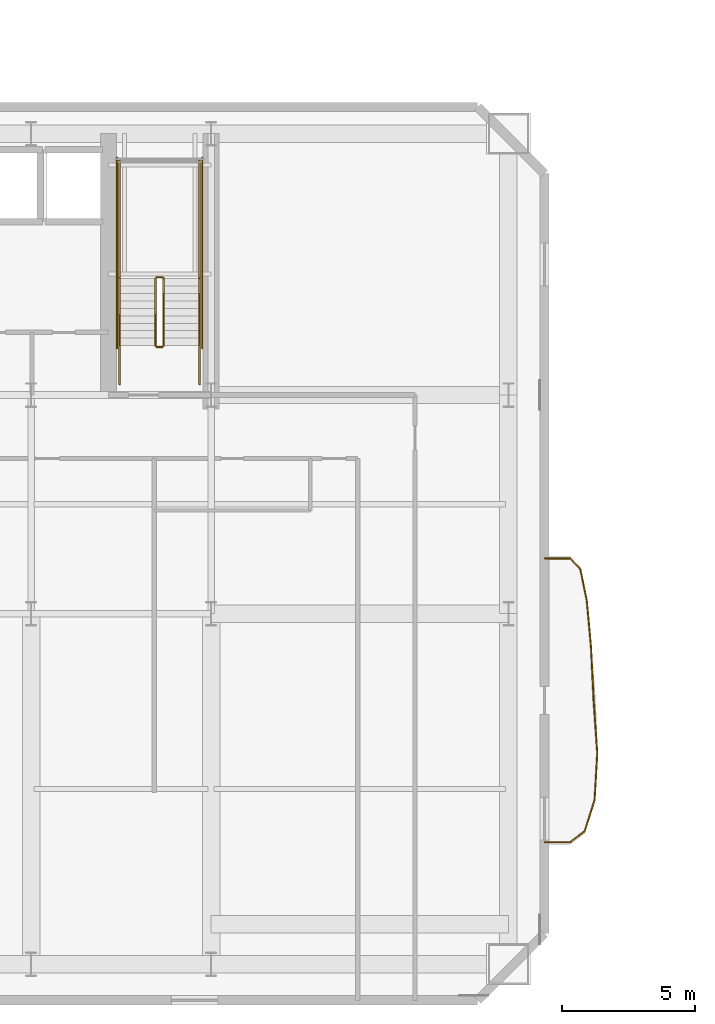
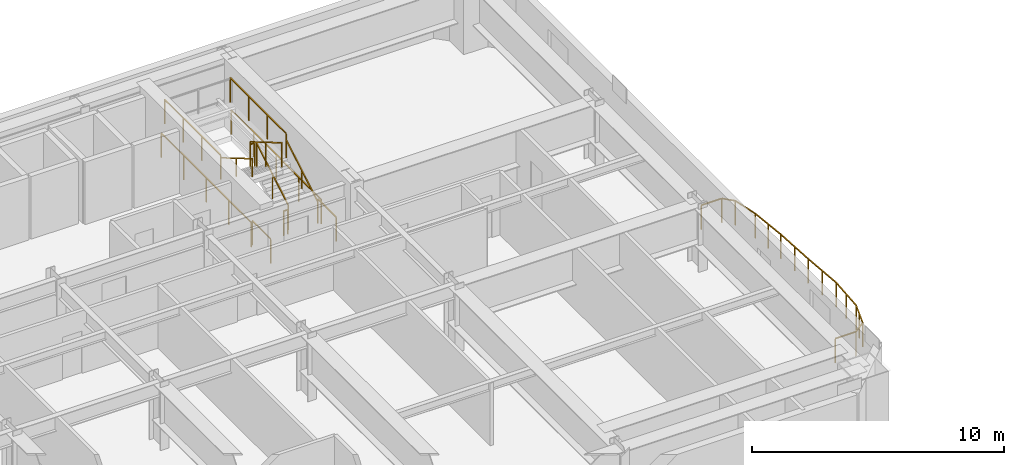
# One storey, part 14 of 18: 22 railings.
"""IFC4 building model written with IfcOpenShell, lengths in metres."""

from ifc_helpers import new_model, si_unit, direction, frame, origin, origin_2d, place, context, subcontext, project, spatial, rectangle, extrude, material, type_object, element, save


model = new_model("IFC4")

# Units and contexts
model_context = context("Model", 3, precision=1e-05, world=origin(), true_north=direction((0.0, 1.0)))
body_context = subcontext(model_context, "Body", "Model", "MODEL_VIEW")
ifc_project = project(units=[si_unit("LENGTHUNIT", "METRE"), si_unit("AREAUNIT", "SQUARE_METRE"), si_unit("VOLUMEUNIT", "CUBIC_METRE"), si_unit("PLANEANGLEUNIT", "RADIAN"), si_unit("MASSUNIT", "GRAM", prefix="KILO")], contexts=[model_context])

# Site, building, storey
site_placement = place(None, origin())
site = spatial("IfcSite", under=ifc_project, at=site_placement, CompositionType="ELEMENT")
building_placement = place(site_placement, origin())
building = spatial("IfcBuilding", under=site, at=building_placement, Name="Haevon Station Towers", CompositionType="ELEMENT")
storey_placement = place(building_placement, frame((0.0, 0.0, 66.89990234375)))
storey = spatial("IfcBuildingStorey", under=building, at=storey_placement, Name="L17", CompositionType="ELEMENT", Elevation=66.89990234375)

# Railings
ifc_material = material(Name="Steel S355", Category="steel")
railing_type_1 = type_object("IfcRailingType", Name="GRD-EXT1200", PredefinedType="GUARDRAIL", material=ifc_material)
railing_1_placement = place(storey_placement, frame((63.523193359375, 21.427978515625, 0.0)))
element("IfcRailing", 1, at=railing_1_placement, inside=storey, type_object=railing_type_1, Name="L17 Perimeter Guardrail 1", PredefinedType="GUARDRAIL", context=body_context, shape_type="SweptSolid", body=[
    extrude(rectangle(XDim=0.048095703125, YDim=0.048095703125, at=origin_2d()), frame((0.0, 0.0, 1.17578125), z_axis=(0.999997858959, 0.002069317866, 0.0), x_axis=(-0.002069317866, 0.999997858959, 0.0)), (0.0, 0.0, 1.0), 0.94384765625),
    extrude(rectangle(XDim=0.0419921875, YDim=0.0419921875, at=origin_2d()), origin(), (0.0, 0.0, 1.0), 1.15185546875),
    extrude(rectangle(XDim=0.0419921875, YDim=0.0419921875, at=origin_2d()), frame((0.94384765625, 0.001953125, 0.0)), (0.0, 0.0, 1.0), 1.15185546875),
])
railing_2_placement = place(storey_placement, frame((64.467041015625, 21.429931640625, 0.0)))
element("IfcRailing", 2, at=railing_2_placement, inside=storey, type_object=railing_type_1, Name="L17 Perimeter Guardrail 2", PredefinedType="GUARDRAIL", context=body_context, shape_type="SweptSolid", body=[
    extrude(rectangle(XDim=0.048095703125, YDim=0.048095703125, at=origin_2d()), frame((0.0, 0.0, 1.17578125), z_axis=(0.798409676693, 0.602114597201, 0.0), x_axis=(-0.602114597201, 0.798409676693, 0.0)), (0.0, 0.0, 1.0), 0.682861328125),
    extrude(rectangle(XDim=0.0419921875, YDim=0.0419921875, at=origin_2d()), origin(), (0.0, 0.0, 1.0), 1.15185546875),
    extrude(rectangle(XDim=0.0419921875, YDim=0.0419921875, at=origin_2d()), frame((0.545166015625, 0.4111328125, 0.0)), (0.0, 0.0, 1.0), 1.15185546875),
])
railing_3_placement = place(storey_placement, frame((65.01220703125, 21.841064453125, 0.0)))
element("IfcRailing", 3, at=railing_3_placement, inside=storey, type_object=railing_type_1, Name="L17 Perimeter Guardrail 3", PredefinedType="GUARDRAIL", context=body_context, shape_type="SweptSolid", body=[
    extrude(rectangle(XDim=0.048095703125, YDim=0.048095703125, at=origin_2d()), frame((0.0, 0.0, 1.17578125), z_axis=(0.303187234273, 0.952931005359, 0.0), x_axis=(-0.952931005359, 0.303187234273, 0.0)), (0.0, 0.0, 1.0), 1.227294921875),
    extrude(rectangle(XDim=0.0419921875, YDim=0.0419921875, at=origin_2d()), origin(), (0.0, 0.0, 1.0), 1.15185546875),
    extrude(rectangle(XDim=0.0419921875, YDim=0.0419921875, at=origin_2d()), frame((0.18603515625, 0.584716796875, 0.0)), (0.0, 0.0, 1.0), 1.15185546875),
    extrude(rectangle(XDim=0.0419921875, YDim=0.0419921875, at=origin_2d()), frame((0.3720703125, 1.16943359375, 0.0)), (0.0, 0.0, 1.0), 1.15185546875),
])
railing_4_placement = place(storey_placement, frame((65.38427734375, 23.010498046875, 0.0)))
element("IfcRailing", 4, at=railing_4_placement, inside=storey, type_object=railing_type_1, Name="L17 Perimeter Guardrail 4", PredefinedType="GUARDRAIL", context=body_context, shape_type="SweptSolid", body=[
    extrude(rectangle(XDim=0.048095703125, YDim=0.048095703125, at=origin_2d()), frame((0.0, 0.0, 1.17578125), z_axis=(0.057716779897, 0.99833299721, 0.0), x_axis=(-0.99833299721, 0.057716779897, 0.0)), (0.0, 0.0, 1.0), 1.751220703125),
    extrude(rectangle(XDim=0.0419921875, YDim=0.0419921875, at=origin_2d()), origin(), (0.0, 0.0, 1.0), 1.15185546875),
    extrude(rectangle(XDim=0.0419921875, YDim=0.0419921875, at=origin_2d()), frame((0.050537109375, 0.8740234375, 0.0)), (0.0, 0.0, 1.0), 1.15185546875),
    extrude(rectangle(XDim=0.0419921875, YDim=0.0419921875, at=origin_2d()), frame((0.10107421875, 1.748291015625, 0.0)), (0.0, 0.0, 1.0), 1.15185546875),
])
railing_5_placement = place(storey_placement, frame((65.4853515625, 24.7587890625, 0.0)))
element("IfcRailing", 5, at=railing_5_placement, inside=storey, type_object=railing_type_1, Name="L17 Perimeter Guardrail 5", PredefinedType="GUARDRAIL", context=body_context, shape_type="SweptSolid", body=[
    extrude(rectangle(XDim=0.048095703125, YDim=0.048095703125, at=origin_2d()), frame((0.0, 0.0, 1.17578125), z_axis=(-0.070082284887, 0.997541213858, 0.0), x_axis=(-0.997541213858, -0.070082284887, 0.0)), (0.0, 0.0, 1.0), 1.99609375),
    extrude(rectangle(XDim=0.0419921875, YDim=0.0419921875, at=origin_2d()), origin(), (0.0, 0.0, 1.0), 1.15185546875),
    extrude(rectangle(XDim=0.0419921875, YDim=0.0419921875, at=origin_2d()), frame((-0.06982421875, 0.99560546875, 0.0)), (0.0, 0.0, 1.0), 1.15185546875),
    extrude(rectangle(XDim=0.0419921875, YDim=0.0419921875, at=origin_2d()), frame((-0.139892578125, 1.9912109375, 0.0)), (0.0, 0.0, 1.0), 1.15185546875),
])
railing_6_placement = place(storey_placement, frame((65.345458984375, 26.75, 0.0)))
element("IfcRailing", 6, at=railing_6_placement, inside=storey, type_object=railing_type_1, Name="L17 Perimeter Guardrail 6", PredefinedType="GUARDRAIL", context=body_context, shape_type="SweptSolid", body=[
    extrude(rectangle(XDim=0.048095703125, YDim=0.048095703125, at=origin_2d()), frame((0.0, 0.0, 1.17578125), z_axis=(-0.047454457012, 0.998873402644, 0.0), x_axis=(-0.998873402644, -0.047454457012, 0.0)), (0.0, 0.0, 1.0), 1.990966796875),
    extrude(rectangle(XDim=0.0419921875, YDim=0.0419921875, at=origin_2d()), origin(), (0.0, 0.0, 1.0), 1.15185546875),
    extrude(rectangle(XDim=0.0419921875, YDim=0.0419921875, at=origin_2d()), frame((-0.04736328125, 0.994384765625, 0.0)), (0.0, 0.0, 1.0), 1.15185546875),
    extrude(rectangle(XDim=0.0419921875, YDim=0.0419921875, at=origin_2d()), frame((-0.094482421875, 1.98876953125, 0.0)), (0.0, 0.0, 1.0), 1.15185546875),
])
railing_7_placement = place(storey_placement, frame((65.2509765625, 28.73876953125, 0.0)))
element("IfcRailing", 7, at=railing_7_placement, inside=storey, type_object=railing_type_1, Name="L17 Perimeter Guardrail 7", PredefinedType="GUARDRAIL", context=body_context, shape_type="SweptSolid", body=[
    extrude(rectangle(XDim=0.048095703125, YDim=0.048095703125, at=origin_2d()), frame((0.0, 0.0, 1.17578125), z_axis=(-0.090172444535, 0.995926167066, 0.0), x_axis=(-0.995926167066, -0.090172444535, 0.0)), (0.0, 0.0, 1.0), 1.757080078125),
    extrude(rectangle(XDim=0.0419921875, YDim=0.0419921875, at=origin_2d()), origin(), (0.0, 0.0, 1.0), 1.15185546875),
    extrude(rectangle(XDim=0.0419921875, YDim=0.0419921875, at=origin_2d()), frame((-0.0791015625, 0.875, 0.0)), (0.0, 0.0, 1.0), 1.15185546875),
    extrude(rectangle(XDim=0.0419921875, YDim=0.0419921875, at=origin_2d()), frame((-0.158447265625, 1.75, 0.0)), (0.0, 0.0, 1.0), 1.15185546875),
])
railing_8_placement = place(storey_placement, frame((65.092529296875, 30.48876953125, 0.0)))
element("IfcRailing", 8, at=railing_8_placement, inside=storey, type_object=railing_type_1, Name="L17 Perimeter Guardrail 8", PredefinedType="GUARDRAIL", context=body_context, shape_type="SweptSolid", body=[
    extrude(rectangle(XDim=0.048095703125, YDim=0.048095703125, at=origin_2d()), frame((0.0, 0.0, 1.17578125), z_axis=(-0.201497232752, 0.979489083754, 0.0), x_axis=(-0.979489083754, -0.201497232752, 0.0)), (0.0, 0.0, 1.0), 1.194580078125),
    extrude(rectangle(XDim=0.0419921875, YDim=0.0419921875, at=origin_2d()), origin(), (0.0, 0.0, 1.0), 1.15185546875),
    extrude(rectangle(XDim=0.0419921875, YDim=0.0419921875, at=origin_2d()), frame((-0.24072265625, 1.170166015625, 0.0)), (0.0, 0.0, 1.0), 1.15185546875),
])
railing_9_placement = place(storey_placement, frame((64.851806640625, 31.658935546875, 0.0)))
element("IfcRailing", 9, at=railing_9_placement, inside=storey, type_object=railing_type_1, Name="L17 Perimeter Guardrail 9", PredefinedType="GUARDRAIL", context=body_context, shape_type="SweptSolid", body=[
    extrude(rectangle(XDim=0.048095703125, YDim=0.048095703125, at=origin_2d()), frame((0.0, 0.0, 1.17578125), z_axis=(-0.683306289544, 0.730131847456, 0.0), x_axis=(-0.730131847456, -0.683306289544, 0.0)), (0.0, 0.0, 1.0), 0.56298828125),
    extrude(rectangle(XDim=0.0419921875, YDim=0.0419921875, at=origin_2d()), origin(), (0.0, 0.0, 1.0), 1.15185546875),
    extrude(rectangle(XDim=0.0419921875, YDim=0.0419921875, at=origin_2d()), frame((-0.384765625, 0.4111328125, 0.0)), (0.0, 0.0, 1.0), 1.15185546875),
])
railing_10_placement = place(storey_placement, frame((64.467041015625, 32.070068359375, 0.0)))
element("IfcRailing", 10, at=railing_10_placement, inside=storey, type_object=railing_type_1, Name="L17 Perimeter Guardrail 10", PredefinedType="GUARDRAIL", context=body_context, shape_type="SweptSolid", body=[
    extrude(rectangle(XDim=0.048095703125, YDim=0.048095703125, at=origin_2d()), frame((0.0, 0.0, 1.17578125), z_axis=(-0.999997858959, 0.002069317866, 0.0), x_axis=(-0.002069317866, -0.999997858959, 0.0)), (0.0, 0.0, 1.0), 0.94384765625),
    extrude(rectangle(XDim=0.0419921875, YDim=0.0419921875, at=origin_2d()), origin(), (0.0, 0.0, 1.0), 1.15185546875),
    extrude(rectangle(XDim=0.0419921875, YDim=0.0419921875, at=origin_2d()), frame((-0.94384765625, 0.001953125, 0.0)), (0.0, 0.0, 1.0), 1.15185546875),
])
railing_type_2 = type_object("IfcRailingType", Name="GRD-STR1200", PredefinedType="GUARDRAIL", material=ifc_material)
railing_11_placement = place(storey_placement, frame((49.219970703125, 40.050048828125, 0.1650390625)))
element("IfcRailing", 11, at=railing_11_placement, inside=storey, type_object=railing_type_2, Name="L17 ST2 Stair Guard 1", PredefinedType="GUARDRAIL", context=body_context, shape_type="SweptSolid", body=[
    extrude(rectangle(XDim=0.048095703125, YDim=0.048095703125, at=origin_2d()), frame((0.0, 0.0, 1.17578125), z_axis=(0.0, 0.86152411907, 0.507716645641), x_axis=(-1.0, 0.0, 0.0)), (0.0, 0.0, 1.0), 2.925048828125),
    extrude(rectangle(XDim=0.0419921875, YDim=0.0419921875, at=origin_2d()), origin(), (0.0, 0.0, 1.0), 1.15185546875),
    extrude(rectangle(XDim=0.0419921875, YDim=0.0419921875, at=origin_2d()), frame((0.0, 1.260009765625, 0.74267578125)), (0.0, 0.0, 1.0), 1.15185546875),
    extrude(rectangle(XDim=0.0419921875, YDim=0.0419921875, at=origin_2d()), frame((0.0, 2.52001953125, 1.485107421875)), (0.0, 0.0, 1.0), 1.15185546875),
])
railing_12_placement = place(storey_placement, frame((49.169921875, 42.6201171875, 1.650146484375)))
element("IfcRailing", 12, at=railing_12_placement, inside=storey, type_object=railing_type_2, Name="L17 ST2 Stair Guard 2", PredefinedType="GUARDRAIL", context=body_context, shape_type="SweptSolid", body=[
    extrude(rectangle(XDim=0.048095703125, YDim=0.048095703125, at=origin_2d()), frame((0.0, 0.0, 1.17578125), z_axis=(-1.0, 0.0, 0.0), x_axis=(0.0, -1.0, 0.0)), (0.0, 0.0, 1.0), 0.199951171875),
    extrude(rectangle(XDim=0.0419921875, YDim=0.0419921875, at=origin_2d()), origin(), (0.0, 0.0, 1.0), 1.15185546875),
    extrude(rectangle(XDim=0.0419921875, YDim=0.0419921875, at=origin_2d()), frame((-0.199951171875, 0.0, 0.0)), (0.0, 0.0, 1.0), 1.15185546875),
])
for number, where, name in (
    (13, (50.570068359375, 42.570068359375, 1.650146484375), "L17 ST2 Stair Guard 3"),
    (14, (47.570068359375, 42.570068359375, 1.650146484375), "L17 ST2 Stair Guard 4"),
):
    element("IfcRailing", number, at=place(storey_placement, frame(where)), inside=storey, type_object=railing_type_2, Name=name, PredefinedType="GUARDRAIL", context=body_context, shape_type="SweptSolid", body=[
        extrude(rectangle(XDim=0.048095703125, YDim=0.048095703125, at=origin_2d()), frame((0.0, 0.0, 1.17578125), z_axis=(0.0, 1.0, 0.0), x_axis=(-1.0, 0.0, 0.0)), (0.0, 0.0, 1.0), 4.429931640625),
        extrude(rectangle(XDim=0.0419921875, YDim=0.0419921875, at=origin_2d()), origin(), (0.0, 0.0, 1.0), 1.15185546875),
        extrude(rectangle(XDim=0.0419921875, YDim=0.0419921875, at=origin_2d()), frame((0.0, 1.4765625, 0.0)), (0.0, 0.0, 1.0), 1.15185546875),
        extrude(rectangle(XDim=0.0419921875, YDim=0.0419921875, at=origin_2d()), frame((0.0, 2.953369140625, 0.0)), (0.0, 0.0, 1.0), 1.15185546875),
        extrude(rectangle(XDim=0.0419921875, YDim=0.0419921875, at=origin_2d()), frame((0.0, 4.429931640625, 0.0)), (0.0, 0.0, 1.0), 1.15185546875),
    ])
railing_13_placement = place(storey_placement, frame((48.919921875, 42.570068359375, 1.815185546875)))
element("IfcRailing", 15, at=railing_13_placement, inside=storey, type_object=railing_type_2, Name="L17 ST2 Stair Guard 6", PredefinedType="GUARDRAIL", context=body_context, shape_type="SweptSolid", body=[
    extrude(rectangle(XDim=0.048095703125, YDim=0.048095703125, at=origin_2d()), frame((0.0, 0.0, 1.17578125), z_axis=(0.0, -0.861560626758, 0.507654692109), x_axis=(1.0, 0.0, 0.0)), (0.0, 0.0, 1.0), 2.925048828125),
    extrude(rectangle(XDim=0.0419921875, YDim=0.0419921875, at=origin_2d()), origin(), (0.0, 0.0, 1.0), 1.15185546875),
    extrude(rectangle(XDim=0.0419921875, YDim=0.0419921875, at=origin_2d()), frame((0.0, -1.260009765625, 0.742431640625)), (0.0, 0.0, 1.0), 1.15185546875),
    extrude(rectangle(XDim=0.0419921875, YDim=0.0419921875, at=origin_2d()), frame((0.0, -2.52001953125, 1.48486328125)), (0.0, 0.0, 1.0), 1.15185546875),
])
railing_14_placement = place(storey_placement, frame((49.169921875, 40.0, 0.0)))
element("IfcRailing", 16, at=railing_14_placement, inside=storey, type_object=railing_type_2, Name="L17 ST2 Stair Guard 7", PredefinedType="GUARDRAIL", context=body_context, shape_type="SweptSolid", body=[
    extrude(rectangle(XDim=0.048095703125, YDim=0.048095703125, at=origin_2d()), frame((0.0, 0.0, 1.17578125), z_axis=(-1.0, 0.0, 0.0), x_axis=(0.0, -1.0, 0.0)), (0.0, 0.0, 1.0), 0.199951171875),
    extrude(rectangle(XDim=0.0419921875, YDim=0.0419921875, at=origin_2d()), origin(), (0.0, 0.0, 1.0), 1.15185546875),
    extrude(rectangle(XDim=0.0419921875, YDim=0.0419921875, at=origin_2d()), frame((-0.199951171875, 0.0, 0.0)), (0.0, 0.0, 1.0), 1.15185546875),
])
for number, where, name in (
    (17, (50.570068359375, 38.60009765625, 0.0), "L17 ST2 Stair Guard 8"),
    (18, (47.570068359375, 38.60009765625, 0.0), "L17 ST2 Stair Guard 9"),
):
    element("IfcRailing", number, at=place(storey_placement, frame(where)), inside=storey, type_object=railing_type_2, Name=name, PredefinedType="GUARDRAIL", context=body_context, shape_type="SweptSolid", body=[
        extrude(rectangle(XDim=0.048095703125, YDim=0.048095703125, at=origin_2d()), frame((0.0, 0.0, 1.17578125), z_axis=(0.0, 1.0, 0.0), x_axis=(-1.0, 0.0, 0.0)), (0.0, 0.0, 1.0), 1.449951171875),
        extrude(rectangle(XDim=0.0419921875, YDim=0.0419921875, at=origin_2d()), origin(), (0.0, 0.0, 1.0), 1.15185546875),
        extrude(rectangle(XDim=0.0419921875, YDim=0.0419921875, at=origin_2d()), frame((0.0, 1.449951171875, 0.0)), (0.0, 0.0, 1.0), 1.15185546875),
    ])
for number, where, name in (
    (19, (50.669921875, 39.949951171875, 0.0), "L17 ST2 Stair Guard 10"),
    (20, (47.469970703125, 39.949951171875, 0.0), "L17 ST2 Stair Guard 11"),
):
    element("IfcRailing", number, at=place(storey_placement, frame(where)), inside=storey, type_object=railing_type_2, Name=name, PredefinedType="GUARDRAIL", context=body_context, shape_type="SweptSolid", body=[
        extrude(rectangle(XDim=0.048095703125, YDim=0.048095703125, at=origin_2d()), frame((0.0, 0.0, 1.17578125), z_axis=(0.0, 1.0, 0.0), x_axis=(-1.0, 0.0, 0.0)), (0.0, 0.0, 1.0), 7.150146484375),
        extrude(rectangle(XDim=0.0419921875, YDim=0.0419921875, at=origin_2d()), origin(), (0.0, 0.0, 1.0), 1.15185546875),
        extrude(rectangle(XDim=0.0419921875, YDim=0.0419921875, at=origin_2d()), frame((0.0, 1.78759765625, 0.0)), (0.0, 0.0, 1.0), 1.15185546875),
        extrude(rectangle(XDim=0.0419921875, YDim=0.0419921875, at=origin_2d()), frame((0.0, 3.5751953125, 0.0)), (0.0, 0.0, 1.0), 1.15185546875),
        extrude(rectangle(XDim=0.0419921875, YDim=0.0419921875, at=origin_2d()), frame((0.0, 5.362548828125, 0.0)), (0.0, 0.0, 1.0), 1.15185546875),
        extrude(rectangle(XDim=0.0419921875, YDim=0.0419921875, at=origin_2d()), frame((0.0, 7.150146484375, 0.0)), (0.0, 0.0, 1.0), 1.15185546875),
    ])
railing_type_3 = type_object("IfcRailingType", Name="HND-STR900", PredefinedType="HANDRAIL", material=ifc_material)
railing_15_placement = place(storey_placement, frame((50.570068359375, 40.050048828125, 0.1650390625)))
element("IfcRailing", 21, at=railing_15_placement, inside=storey, type_object=railing_type_3, Name="L17 ST2 Stair Handrail 1", PredefinedType="HANDRAIL", context=body_context, shape_type="SweptSolid", body=[
    extrude(rectangle(XDim=0.048095703125, YDim=0.048095703125, at=origin_2d()), frame((0.0, 0.0, 0.8759765625), z_axis=(0.0, 0.86152411907, 0.507716645641), x_axis=(-1.0, 0.0, 0.0)), (0.0, 0.0, 1.0), 2.925048828125),
    extrude(rectangle(XDim=0.0419921875, YDim=0.0419921875, at=origin_2d()), origin(), (0.0, 0.0, 1.0), 0.851806640625),
    extrude(rectangle(XDim=0.0419921875, YDim=0.0419921875, at=origin_2d()), frame((0.0, 1.260009765625, 0.74267578125)), (0.0, 0.0, 1.0), 0.851806640625),
    extrude(rectangle(XDim=0.0419921875, YDim=0.0419921875, at=origin_2d()), frame((0.0, 2.52001953125, 1.485107421875)), (0.0, 0.0, 1.0), 0.851806640625),
])
railing_16_placement = place(storey_placement, frame((47.570068359375, 42.570068359375, 1.815185546875)))
element("IfcRailing", 22, at=railing_16_placement, inside=storey, type_object=railing_type_3, Name="L17 ST2 Stair Handrail 2", PredefinedType="HANDRAIL", context=body_context, shape_type="SweptSolid", body=[
    extrude(rectangle(XDim=0.048095703125, YDim=0.048095703125, at=origin_2d()), frame((0.0, 0.0, 0.8759765625), z_axis=(0.0, -0.861560626758, 0.507654692109), x_axis=(1.0, 0.0, 0.0)), (0.0, 0.0, 1.0), 2.925048828125),
    extrude(rectangle(XDim=0.0419921875, YDim=0.0419921875, at=origin_2d()), origin(), (0.0, 0.0, 1.0), 0.851806640625),
    extrude(rectangle(XDim=0.0419921875, YDim=0.0419921875, at=origin_2d()), frame((0.0, -1.260009765625, 0.742431640625)), (0.0, 0.0, 1.0), 0.851806640625),
    extrude(rectangle(XDim=0.0419921875, YDim=0.0419921875, at=origin_2d()), frame((0.0, -2.52001953125, 1.48486328125)), (0.0, 0.0, 1.0), 0.851806640625),
])

save(model, "model.ifc")
